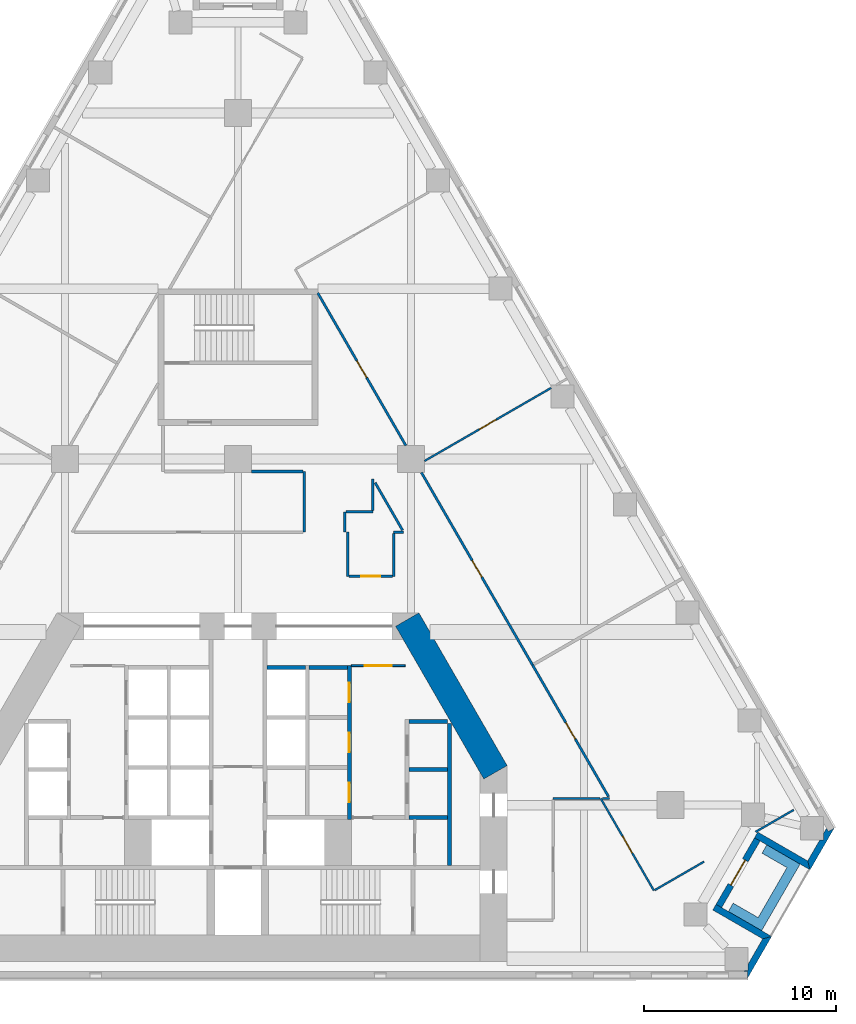
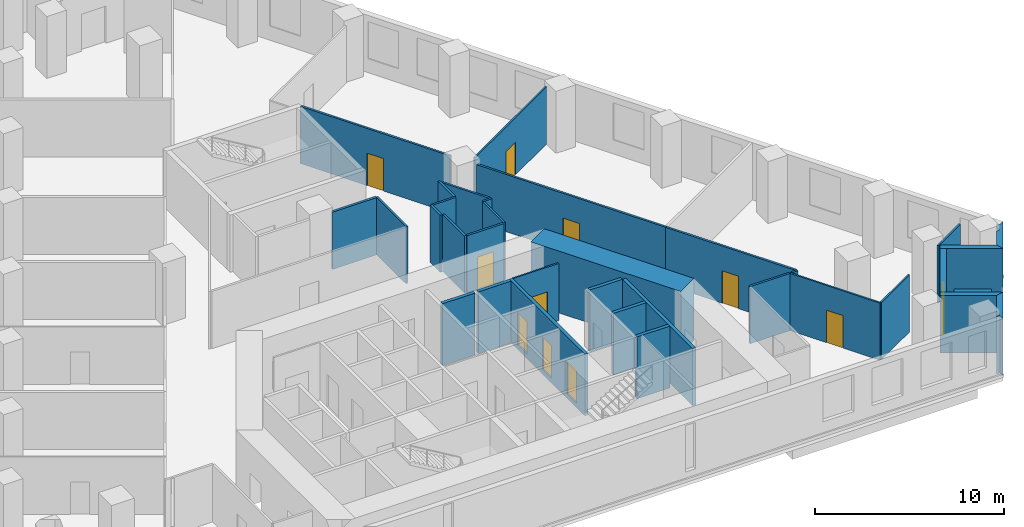
# One storey, part 6 of 9: 34 walls, 11 doors, 11 openings.
"""IFC4 building model written with IfcOpenShell, lengths in metres."""

from ifc_helpers import new_model, si_unit, direction, frame, frame_2d, origin, place, context, subcontext, project, spatial, polyline, rectangle, outline, extrude, material, layer, layer_set, type_object, element, fill, save


model = new_model("IFC4")

# Units and contexts
model_context = context("Model", 3, precision=1e-05, world=origin(), true_north=direction((0.0, 1.0)))
body_context = subcontext(model_context, "Body", "Model", "MODEL_VIEW")
ifc_project = project(units=[si_unit("LENGTHUNIT", "METRE"), si_unit("AREAUNIT", "SQUARE_METRE"), si_unit("VOLUMEUNIT", "CUBIC_METRE"), si_unit("PLANEANGLEUNIT", "RADIAN"), si_unit("MASSUNIT", "GRAM", prefix="KILO")], contexts=[model_context])

# Site, building, storey
site_placement = place(None, origin())
site = spatial("IfcSite", under=ifc_project, at=site_placement, CompositionType="ELEMENT")
building_placement = place(site_placement, origin())
building = spatial("IfcBuilding", under=site, at=building_placement, Name="Fogline Exchange Tower", CompositionType="ELEMENT")
storey_placement = place(building_placement, frame((0.0, 0.0, 76.89990234375)))
storey = spatial("IfcBuildingStorey", under=building, at=storey_placement, Name="L16", CompositionType="ELEMENT", Elevation=76.89990234375)

# Wall, opening, door
ifc_material_1 = material(Name="Blockwork partition", Category="masonry")
ifc_layer_1 = layer(ifc_material_1, 0.10009765625)
ifc_layer_set_1 = layer_set([ifc_layer_1], Name="CW10")
wall_type_1 = type_object("IfcWallType", Name="CW10", PredefinedType="PARTITIONING", material=ifc_layer_set_1)
wall_1_placement = place(storey_placement, frame((5.89990234375, 16.25, 0.0), z_axis=(0.0, 0.0, 1.0), x_axis=(1.0, 0.0, 0.0)))
wall_1 = element("IfcWall", 1, at=wall_1_placement, inside=storey, type_object=wall_type_1, Name="Lift lobby partition", PredefinedType="PARTITIONING", context=body_context, shape_type="SweptSolid", body=[
    extrude(rectangle(XDim=2.800048828125, YDim=0.10009765625, at=frame_2d((1.39990234375, 0.0))), origin(), (0.0, 0.0, 1.0), 3.7001953125),
])
opening_1_placement = place(wall_1_placement, frame((0.699951171875, 0.0, 0.0)))
opening_1 = element("IfcOpeningElement", 2, at=opening_1_placement, cuts=wall_1, Name="Opening T05-C013", PredefinedType="OPENING", context=body_context, shape_type="SweptSolid", body=[
    extrude(rectangle(XDim=1.39990234375, YDim=2.10009765625, at=frame_2d((0.699951171875, 1.050048828125))), frame((0.0, 0.06005859375, 0.0), z_axis=(0.0, -1.0, 0.0), x_axis=(1.0, 0.0, 0.0)), (0.0, 0.0, 1.0), 0.1201171875),
])
ifc_material_2 = material(Name="Steel and timber fire door", Category="steel")
door_type_1 = type_object("IfcDoorType", Name="D-LB1", OperationType="DOUBLE_DOOR_SINGLE_SWING", PredefinedType="DOOR", material=ifc_material_2)
door_1_placement = place(opening_1_placement, origin())
door_1 = element("IfcDoor", 3, at=door_1_placement, inside=storey, type_object=door_type_1, Name="Door to lift lobby", OperationType="DOUBLE_DOOR_SINGLE_SWING", OverallHeight=2.10009765625, OverallWidth=1.39990234375, PredefinedType="DOOR", context=body_context, shape_type="SweptSolid", body=[
    extrude(rectangle(XDim=1.39990234375, YDim=2.10009765625, at=frame_2d((0.699951171875, 1.050048828125))), frame((0.0, 0.02490234375, 0.0), z_axis=(0.0, -1.0, 0.0), x_axis=(1.0, 0.0, 0.0)), (0.0, 0.0, 1.0), 0.050048828125),
])
fill(opening_1, door_1)

# Wall
ifc_material_3 = material(Name="Concrete C40", Category="concrete")
ifc_layer_2 = layer(ifc_material_3, 0.199951171875)
ifc_layer_set_2 = layer_set([ifc_layer_2], Name="CW20")
wall_type_2 = type_object("IfcWallType", Name="CW20", PredefinedType="SOLIDWALL", material=ifc_layer_set_2)
wall_2_placement = place(storey_placement, frame((11.0, 5.85009765625, 0.0), z_axis=(0.0, 0.0, 1.0), x_axis=(0.0, 1.0, 0.0)))
element("IfcWall", 4, at=wall_2_placement, inside=storey, type_object=wall_type_2, Name="Service room wall", PredefinedType="SOLIDWALL", context=body_context, shape_type="SweptSolid", body=[
    extrude(rectangle(XDim=7.39990234375, YDim=0.199951171875, at=frame_2d((3.699951171875, 0.0))), origin(), (0.0, 0.0, 1.0), 3.7001953125),
])

# Wall, openings, doors
ifc_layer_3 = layer(ifc_material_3, 0.199951171875)
ifc_layer_set_3 = layer_set([ifc_layer_3], Name="CW20S")
wall_type_3 = type_object("IfcWallType", Name="CW20S", PredefinedType="SOLIDWALL", material=ifc_layer_set_3)
wall_3_placement = place(storey_placement, frame((5.800048828125, 8.25, -0.2998046875), z_axis=(0.0, 0.0, 1.0), x_axis=(0.0, 1.0, 0.0)))
wall_3 = element("IfcWall", 5, at=wall_3_placement, inside=storey, type_object=wall_type_3, Name="Lift shaft wall", PredefinedType="SOLIDWALL", context=body_context, shape_type="SweptSolid", body=[
    extrude(rectangle(XDim=8.0, YDim=0.199951171875, at=frame_2d((4.0, 0.0))), origin(), (0.0, 0.0, 1.0), 4.0),
])
opening_2_placement = place(wall_3_placement, frame((0.89990234375, 0.0, 0.300048828125)))
opening_2 = element("IfcOpeningElement", 6, at=opening_2_placement, cuts=wall_3, Name="Opening T05-C003", PredefinedType="OPENING", context=body_context, shape_type="SweptSolid", body=[
    extrude(rectangle(XDim=1.0, YDim=2.10009765625, at=frame_2d((0.5, 1.050048828125))), frame((0.0, 0.10986328125, 0.0), z_axis=(0.0, -1.0, 0.0), x_axis=(1.0, 0.0, 0.0)), (0.0, 0.0, 1.0), 0.219970703125),
])
opening_3_placement = place(wall_3_placement, frame((3.5, 0.0, 0.300048828125)))
opening_3 = element("IfcOpeningElement", 7, at=opening_3_placement, cuts=wall_3, Name="Opening T05-C004", PredefinedType="OPENING", context=body_context, shape_type="SweptSolid", body=[
    extrude(rectangle(XDim=1.0, YDim=2.10009765625, at=frame_2d((0.5, 1.050048828125))), frame((0.0, 0.10986328125, 0.0), z_axis=(0.0, -1.0, 0.0), x_axis=(1.0, 0.0, 0.0)), (0.0, 0.0, 1.0), 0.219970703125),
])
opening_4_placement = place(wall_3_placement, frame((6.10009765625, 0.0, 0.300048828125)))
opening_4 = element("IfcOpeningElement", 8, at=opening_4_placement, cuts=wall_3, Name="Opening T05-C005", PredefinedType="OPENING", context=body_context, shape_type="SweptSolid", body=[
    extrude(rectangle(XDim=1.0, YDim=2.10009765625, at=frame_2d((0.5, 1.050048828125))), frame((0.0, 0.10986328125, 0.0), z_axis=(0.0, -1.0, 0.0), x_axis=(1.0, 0.0, 0.0)), (0.0, 0.0, 1.0), 0.219970703125),
])
door_type_2 = type_object("IfcDoorType", Name="D-RM1", OperationType="SINGLE_SWING_LEFT", PredefinedType="DOOR", material=ifc_material_2)
door_2_placement = place(opening_2_placement, origin())
door_2 = element("IfcDoor", 9, at=door_2_placement, inside=storey, type_object=door_type_2, Name="Door to Library Store", OperationType="SINGLE_SWING_RIGHT", OverallHeight=2.10009765625, OverallWidth=1.0, PredefinedType="DOOR", context=body_context, shape_type="SweptSolid", body=[
    extrude(rectangle(XDim=1.0, YDim=2.10009765625, at=frame_2d((0.5, 1.050048828125))), frame((0.0, 0.02490234375, 0.0), z_axis=(0.0, -1.0, 0.0), x_axis=(1.0, 0.0, 0.0)), (0.0, 0.0, 1.0), 0.050048828125),
])
fill(opening_2, door_2)
door_3_placement = place(opening_3_placement, origin())
door_3 = element("IfcDoor", 10, at=door_3_placement, inside=storey, type_object=door_type_2, Name="Door to Stationery Store", OperationType="SINGLE_SWING_LEFT", OverallHeight=2.10009765625, OverallWidth=1.0, PredefinedType="DOOR", context=body_context, shape_type="SweptSolid", body=[
    extrude(rectangle(XDim=1.0, YDim=2.10009765625, at=frame_2d((0.5, 1.050048828125))), frame((0.0, 0.02490234375, 0.0), z_axis=(0.0, -1.0, 0.0), x_axis=(1.0, 0.0, 0.0)), (0.0, 0.0, 1.0), 0.050048828125),
])
fill(opening_3, door_3)
door_4_placement = place(opening_4_placement, origin())
door_4 = element("IfcDoor", 11, at=door_4_placement, inside=storey, type_object=door_type_2, Name="Door to Records Store", OperationType="SINGLE_SWING_LEFT", OverallHeight=2.10009765625, OverallWidth=1.0, PredefinedType="DOOR", context=body_context, shape_type="SweptSolid", body=[
    extrude(rectangle(XDim=1.0, YDim=2.10009765625, at=frame_2d((0.5, 1.050048828125))), frame((0.0, 0.02490234375, 0.0), z_axis=(0.0, -1.0, 0.0), x_axis=(1.0, 0.0, 0.0)), (0.0, 0.0, 1.0), 0.050048828125),
])
fill(opening_4, door_4)

# Walls
for number, where, z_axis, x_axis, name in (
    (12, (8.89990234375, 8.35009765625, -0.2998046875), (0.0, 0.0, 1.0), (1.0, 0.0, 0.0), "Lift shaft wall"),
    (13, (8.89990234375, 10.85009765625, -0.2998046875), (0.0, 0.0, 1.0), (1.0, 0.0, 0.0), "Lift shaft wall"),
    (14, (8.89990234375, 13.35009765625, -0.2998046875), (0.0, 0.0, 1.0), (1.0, 0.0, 0.0), "Lift shaft wall"),
    (15, (3.699951171875, 16.14990234375, -0.2998046875), (0.0, 0.0, 1.0), (1.0, 0.0, 0.0), "Lift shaft wall"),
    (16, (1.5, 16.14990234375, -0.2998046875), (0.0, 0.0, 1.0), (1.0, 0.0, 0.0), "Lift shaft wall"),
):
    element("IfcWall", number, at=place(storey_placement, frame(where, z_axis=z_axis, x_axis=x_axis)), inside=storey, type_object=wall_type_3, Name=name, PredefinedType="SOLIDWALL", context=body_context, shape_type="SweptSolid", body=[
        extrude(rectangle(XDim=2.0, YDim=0.199951171875, at=frame_2d((1.0, 0.0))), origin(), (0.0, 0.0, 1.0), 4.0),
    ])
ifc_material_4 = material(Name="Brick masonry", Category="masonry")
ifc_layer_4 = layer(ifc_material_4, 0.340087890625)
ifc_layer_set_4 = layer_set([ifc_layer_4], Name="FW1")
wall_type_4 = type_object("IfcWallType", Name="FW1", PredefinedType="SOLIDWALL", material=ifc_layer_set_4)
wall_4_placement = place(storey_placement, origin())
element("IfcWall", 17, at=wall_4_placement, inside=storey, type_object=wall_type_4, Name="Brick wall L16 SE-c1", PredefinedType="SOLIDWALL", context=body_context, shape_type="SweptSolid", body=[
    extrude(outline(polyline([(27.761474609375, 2.165771484375), (26.510498046875, -0.001220703125), (26.509765625, -0.0009765625), (26.509765625, 0.33935546875), (26.31298828125, 0.33935546875), (26.34814453125, 0.39990234375), (26.533203125, 0.39990234375), (26.533203125, 0.720458984375), (27.295654296875, 2.041015625), (27.76123046875, 2.166015625), (27.761474609375, 2.165771484375)])), origin(), (0.0, 0.0, 1.0), 3.7001953125),
])
wall_5_placement = place(storey_placement, origin())
element("IfcWall", 18, at=wall_5_placement, inside=storey, type_object=wall_type_4, Name="Brick wall L16 SE-s1", PredefinedType="SOLIDWALL", context=body_context, shape_type="SweptSolid", body=[
    extrude(outline(polyline([(24.697021484375, 3.540283203125), (24.86767578125, 3.8359375), (25.16259765625, 3.66552734375), (27.76171875, 2.1650390625), (27.76171875, 2.164794921875), (27.2958984375, 2.0400390625), (24.697021484375, 3.540283203125)])), origin(), (0.0, 0.0, 1.0), 3.7001953125),
])

# Wall, opening, door
wall_6_placement = place(storey_placement, frame((25.01513671875, 3.75, 0.0), z_axis=(0.0, 0.0, 1.0), x_axis=(0.49999894854, 0.866026010844, 0.0)))
wall_6 = element("IfcWall", 19, at=wall_6_placement, inside=storey, type_object=wall_type_4, Name="Brick wall L16 SE-bk", PredefinedType="SOLIDWALL", context=body_context, shape_type="SweptSolid", body=[
    extrude(rectangle(XDim=4.0, YDim=0.340087890625, at=frame_2d((2.0, 0.0))), origin(), (0.0, 0.0, 1.0), 3.7001953125),
])
opening_5_placement = place(wall_6_placement, frame((1.25, 0.0, 0.0)))
opening_5 = element("IfcOpeningElement", 20, at=opening_5_placement, cuts=wall_6, Name="Opening T05-E081", PredefinedType="OPENING", context=body_context, shape_type="SweptSolid", body=[
    extrude(rectangle(XDim=1.5, YDim=2.39990234375, at=frame_2d((0.75, 1.199951171875))), frame((0.0, 0.18017578125, 0.0), z_axis=(0.0, -1.0, 0.0), x_axis=(1.0, 0.0, 0.0)), (0.0, 0.0, 1.0), 0.360107421875),
])
ifc_material_5 = material(Name="Aluminium and glass", Category="aluminium")
door_type_3 = type_object("IfcDoorType", Name="ED4", OperationType="SINGLE_SWING_LEFT", PredefinedType="DOOR", material=ifc_material_5)
door_5_placement = place(opening_5_placement, frame((1.5, 0.0, 0.0), z_axis=(0.0, 0.0, 1.0), x_axis=(-1.0, 0.0, 0.0)))
door_5 = element("IfcDoor", 21, at=door_5_placement, inside=storey, type_object=door_type_3, Name="Balcony door L16 SE", OperationType="DOUBLE_DOOR_SINGLE_SWING", OverallHeight=2.39990234375, OverallWidth=1.5, PredefinedType="DOOR", context=body_context, shape_type="SweptSolid", body=[
    extrude(rectangle(XDim=1.5, YDim=2.39990234375, at=frame_2d((0.75, 1.199951171875))), frame((0.0, 0.02490234375, 0.0), z_axis=(0.0, -1.0, 0.0), x_axis=(1.0, 0.0, 0.0)), (0.0, 0.0, 1.0), 0.050048828125),
])
fill(opening_5, door_5)

# Walls
wall_7_placement = place(storey_placement, origin())
element("IfcWall", 22, at=wall_7_placement, inside=storey, type_object=wall_type_4, Name="Brick wall L16 SE-s2", PredefinedType="SOLIDWALL", context=body_context, shape_type="SweptSolid", body=[
    extrude(outline(polyline([(29.760986328125, 5.628173828125), (27.162109375, 7.128662109375), (26.8671875, 7.298828125), (27.03759765625, 7.594482421875), (29.636474609375, 6.093994140625), (29.76123046875, 5.62841796875), (29.760986328125, 5.628173828125)])), origin(), (0.0, 0.0, 1.0), 3.7001953125),
])
wall_8_placement = place(storey_placement, origin())
element("IfcWall", 23, at=wall_8_placement, inside=storey, type_object=wall_type_4, Name="Brick wall L16 SE-c2", PredefinedType="SOLIDWALL", context=body_context, shape_type="SweptSolid", body=[
    extrude(outline(polyline([(30.270751953125, 7.194091796875), (30.455810546875, 7.194091796875), (30.455810546875, 7.5146484375), (30.617919921875, 7.79541015625), (30.71630859375, 7.625), (31.010986328125, 7.79541015625), (31.011474609375, 7.794921875), (29.760498046875, 5.6279296875), (29.760009765625, 5.6279296875), (29.63525390625, 6.09375), (30.270751953125, 7.194091796875)])), origin(), (0.0, 0.0, 1.0), 3.7001953125),
])
ifc_material_6 = material(Name="Concrete C30", Category="concrete")
ifc_layer_5 = layer(ifc_material_6, 0.199951171875)
ifc_layer_set_5 = layer_set([ifc_layer_5], Name="PL1")
wall_type_5 = type_object("IfcWallType", Name="PL1", PredefinedType="USERDEFINED", material=ifc_layer_set_5)
wall_9_placement = place(storey_placement, origin())
element("IfcWall", 24, at=wall_9_placement, inside=storey, type_object=wall_type_5, Name="PLANTER balcony L16 SE", ObjectType="PLANTER", PredefinedType="USERDEFINED", context=body_context, shape_type="SweptSolid", body=[
    extrude(outline(polyline([(25.5087890625, 3.465087890625), (26.807861328125, 2.715087890625), (26.807861328125, 2.715087890625), (27.24072265625, 2.465087890625), (28.99072265625, 5.49609375), (29.24072265625, 5.92919921875), (27.5087890625, 6.92919921875), (27.2587890625, 6.49609375), (28.557861328125, 5.74609375), (27.057861328125, 3.148193359375), (25.7587890625, 3.898193359375), (25.5087890625, 3.465087890625)])), origin(), (0.0, 0.0, 1.0), 1.10009765625),
])

# Wall, opening, door
ifc_material_7 = material(Name="Plasterboard partition, 2 layers each side on steel studs", Category="steel")
ifc_layer_6 = layer(ifc_material_7, 0.10009765625)
ifc_layer_set_6 = layer_set([ifc_layer_6], Name="PW1")
wall_type_6 = type_object("IfcWallType", Name="PW1", PredefinedType="PARTITIONING", material=ifc_layer_set_6)
wall_10_placement = place(storey_placement, frame((9.699951171875, 26.895751953125, 0.0), z_axis=(0.0, 0.0, 1.0), x_axis=(0.866021009999, 0.500007610182, 0.0)))
wall_10 = element("IfcWall", 25, at=wall_10_placement, inside=storey, type_object=wall_type_6, Name="wall-L16-W032", PredefinedType="PARTITIONING", context=body_context, shape_type="SweptSolid", body=[
    extrude(rectangle(XDim=7.60888671875, YDim=0.10009765625, at=frame_2d((3.804443359375, 0.0))), origin(), (0.0, 0.0, 1.0), 3.7001953125),
])
opening_6_placement = place(wall_10_placement, frame((3.30419921875, 0.0, 0.0)))
opening_6 = element("IfcOpeningElement", 26, at=opening_6_placement, cuts=wall_10, Name="Opening T05-D014", PredefinedType="OPENING", context=body_context, shape_type="SweptSolid", body=[
    extrude(rectangle(XDim=1.0, YDim=2.10009765625, at=frame_2d((0.5, 1.050048828125))), frame((0.0, 0.06005859375, 0.0), z_axis=(0.0, -1.0, 0.0), x_axis=(1.0, 0.0, 0.0)), (0.0, 0.0, 1.0), 0.1201171875),
])
ifc_material_8 = material(Name="Timber door leaf with steel frame", Category="steel")
door_type_4 = type_object("IfcDoorType", Name="D1", OperationType="SINGLE_SWING_LEFT", PredefinedType="DOOR", material=ifc_material_8)
door_6_placement = place(opening_6_placement, frame((1.0, 0.0, 0.0), z_axis=(0.0, 0.0, 1.0), x_axis=(-1.0, 0.0, 0.0)))
door_6 = element("IfcDoor", 27, at=door_6_placement, inside=storey, type_object=door_type_4, Name="door-L16-D014", OperationType="SINGLE_SWING_RIGHT", OverallHeight=2.10009765625, OverallWidth=1.0, PredefinedType="DOOR", context=body_context, shape_type="SweptSolid", body=[
    extrude(rectangle(XDim=1.0, YDim=2.10009765625, at=frame_2d((0.5, 1.050048828125))), frame((0.0, 0.02490234375, 0.0), z_axis=(0.0, -1.0, 0.0), x_axis=(1.0, 0.0, 0.0)), (0.0, 0.0, 1.0), 0.050048828125),
])
fill(opening_6, door_6)

wall_11_placement = place(storey_placement, frame((18.87109375, 9.340087890625, 0.0), z_axis=(0.0, 0.0, 1.0), x_axis=(0.499998843543, -0.866026071464, 0.0)))
wall_11 = element("IfcWall", 28, at=wall_11_placement, inside=storey, type_object=wall_type_6, Name="wall-L16-W050", PredefinedType="PARTITIONING", context=body_context, shape_type="SweptSolid", body=[
    extrude(rectangle(XDim=5.53076171875, YDim=0.10009765625, at=frame_2d((2.765380859375, 0.0))), origin(), (0.0, 0.0, 1.0), 3.7001953125),
])
opening_7_placement = place(wall_11_placement, frame((2.265380859375, 0.0, 0.0)))
opening_7 = element("IfcOpeningElement", 29, at=opening_7_placement, cuts=wall_11, Name="Opening T05-D019", PredefinedType="OPENING", context=body_context, shape_type="SweptSolid", body=[
    extrude(rectangle(XDim=1.0, YDim=2.10009765625, at=frame_2d((0.5, 1.050048828125))), frame((0.0, 0.06005859375, 0.0), z_axis=(0.0, -1.0, 0.0), x_axis=(1.0, 0.0, 0.0)), (0.0, 0.0, 1.0), 0.1201171875),
])
door_7_placement = place(opening_7_placement, frame((1.0, 0.0, 0.0), z_axis=(0.0, 0.0, 1.0), x_axis=(-1.0, 0.0, 0.0)))
door_7 = element("IfcDoor", 30, at=door_7_placement, inside=storey, type_object=door_type_4, Name="door-L16-D019", OperationType="SINGLE_SWING_RIGHT", OverallHeight=2.10009765625, OverallWidth=1.0, PredefinedType="DOOR", context=body_context, shape_type="SweptSolid", body=[
    extrude(rectangle(XDim=1.0, YDim=2.10009765625, at=frame_2d((0.5, 1.050048828125))), frame((0.0, 0.02490234375, 0.0), z_axis=(0.0, -1.0, 0.0), x_axis=(1.0, 0.0, 0.0)), (0.0, 0.0, 1.0), 0.050048828125),
])
fill(opening_7, door_7)

# Walls
wall_12_placement = place(storey_placement, frame((21.6796875, 4.5751953125, 0.0), z_axis=(0.0, 0.0, 1.0), x_axis=(0.866018146021, 0.500012570604, 0.0)))
element("IfcWall", 31, at=wall_12_placement, inside=storey, type_object=wall_type_6, Name="wall-L16-W051", PredefinedType="PARTITIONING", context=body_context, shape_type="SweptSolid", body=[
    extrude(rectangle(XDim=2.96240234375, YDim=0.10009765625, at=frame_2d((1.481201171875, 0.0))), origin(), (0.0, 0.0, 1.0), 3.7001953125),
])
wall_13_placement = place(storey_placement, frame((26.92578125, 7.604248046875, 0.0), z_axis=(0.0, 0.0, 1.0), x_axis=(0.866072087953, 0.499919131929, 0.0)))
element("IfcWall", 32, at=wall_13_placement, inside=storey, type_object=wall_type_6, Name="wall-L16-W052", PredefinedType="PARTITIONING", context=body_context, shape_type="SweptSolid", body=[
    extrude(rectangle(XDim=2.29248046875, YDim=0.10009765625, at=frame_2d((1.146240234375, 0.0))), origin(), (0.0, 0.0, 1.0), 3.7001953125),
])
ifc_material_9 = material(Name="Plasterboard corridor partition with mineral wool, 2 layers each side")
ifc_layer_7 = layer(ifc_material_9, 0.125)
ifc_layer_set_7 = layer_set([ifc_layer_7], Name="PW2")
wall_type_7 = type_object("IfcWallType", Name="PW2", PredefinedType="PARTITIONING", material=ifc_layer_set_7)
wall_14_placement = place(storey_placement, frame((5.699951171875, 23.199951171875, 0.0), z_axis=(0.0, 0.0, 1.0), x_axis=(0.0, -1.0, 0.0)))
element("IfcWall", 33, at=wall_14_placement, inside=storey, type_object=wall_type_7, Name="wall-L16-W003", PredefinedType="PARTITIONING", context=body_context, shape_type="SweptSolid", body=[
    extrude(rectangle(XDim=2.300048828125, YDim=0.125, at=frame_2d((1.14990234375, 0.0))), origin(), (0.0, 0.0, 1.0), 3.7001953125),
])

# Wall, opening, door
wall_15_placement = place(storey_placement, frame((5.762451171875, 20.89990234375, 0.0), z_axis=(0.0, 0.0, 1.0), x_axis=(1.0, 0.0, 0.0)))
wall_15 = element("IfcWall", 34, at=wall_15_placement, inside=storey, type_object=wall_type_7, Name="wall-L16-W004", PredefinedType="PARTITIONING", context=body_context, shape_type="SweptSolid", body=[
    extrude(rectangle(XDim=2.275146484375, YDim=0.125, at=frame_2d((1.1376953125, 0.0))), origin(), (0.0, 0.0, 1.0), 3.7001953125),
])
opening_8_placement = place(wall_15_placement, frame((0.637451171875, 0.0, 0.0)))
opening_8 = element("IfcOpeningElement", 35, at=opening_8_placement, cuts=wall_15, Name="Opening T05-D002", PredefinedType="OPENING", context=body_context, shape_type="SweptSolid", body=[
    extrude(rectangle(XDim=1.0, YDim=2.10009765625, at=frame_2d((0.5, 1.050048828125))), frame((0.0, 0.072509765625, 0.0), z_axis=(0.0, -1.0, 0.0), x_axis=(1.0, 0.0, 0.0)), (0.0, 0.0, 1.0), 0.14501953125),
])
ifc_material_10 = material(Name="Fire-rated timber door leaf with steel frame", Category="steel")
door_type_5 = type_object("IfcDoorType", Name="D3", OperationType="SINGLE_SWING_LEFT", PredefinedType="DOOR", material=ifc_material_10)
door_8_placement = place(opening_8_placement, origin())
door_8 = element("IfcDoor", 36, at=door_8_placement, inside=storey, type_object=door_type_5, Name="door-L16-D002", OperationType="SINGLE_SWING_LEFT", OverallHeight=2.10009765625, OverallWidth=1.0, PredefinedType="DOOR", context=body_context, shape_type="SweptSolid", body=[
    extrude(rectangle(XDim=1.0, YDim=2.10009765625, at=frame_2d((0.5, 1.050048828125))), frame((0.0, 0.02490234375, 0.0), z_axis=(0.0, -1.0, 0.0), x_axis=(1.0, 0.0, 0.0)), (0.0, 0.0, 1.0), 0.050048828125),
])
fill(opening_8, door_8)

# Walls
wall_16_placement = place(storey_placement, frame((8.10009765625, 20.89990234375, 0.0), z_axis=(0.0, 0.0, 1.0), x_axis=(0.0, 1.0, 0.0)))
element("IfcWall", 37, at=wall_16_placement, inside=storey, type_object=wall_type_7, Name="wall-L16-W005", PredefinedType="PARTITIONING", context=body_context, shape_type="SweptSolid", body=[
    extrude(rectangle(XDim=2.237548828125, YDim=0.125, at=frame_2d((1.11865234375, 0.0))), origin(), (0.0, 0.0, 1.0), 3.7001953125),
])
wall_17_placement = place(storey_placement, frame((8.10009765625, 23.199951171875, 0.0), z_axis=(0.0, 0.0, 1.0), x_axis=(1.0, 0.0, 0.0)))
element("IfcWall", 38, at=wall_17_placement, inside=storey, type_object=wall_type_7, Name="wall-L16-W006", PredefinedType="PARTITIONING", context=body_context, shape_type="SweptSolid", body=[
    extrude(rectangle(XDim=0.517333984375, YDim=0.125, at=frame_2d((0.2587890625, 0.0))), origin(), (0.0, 0.0, 1.0), 3.7001953125),
])

# Wall, opening, door
wall_18_placement = place(storey_placement, frame((9.541259765625, 26.300048828125, 0.0), z_axis=(0.0, 0.0, 1.0), x_axis=(0.500003905814, -0.86602314875, 0.0)))
wall_18 = element("IfcWall", 39, at=wall_18_placement, inside=storey, type_object=wall_type_7, Name="wall-L16-W022", PredefinedType="PARTITIONING", context=body_context, shape_type="SweptSolid", body=[
    extrude(rectangle(XDim=11.5634765625, YDim=0.125, at=frame_2d((5.78173828125, 0.0))), origin(), (0.0, 0.0, 1.0), 3.7001953125),
])
opening_9_placement = place(wall_18_placement, frame((5.28173828125, 0.0, 0.0)))
opening_9 = element("IfcOpeningElement", 40, at=opening_9_placement, cuts=wall_18, Name="Opening T05-D011", PredefinedType="OPENING", context=body_context, shape_type="SweptSolid", body=[
    extrude(rectangle(XDim=1.0, YDim=2.10009765625, at=frame_2d((0.5, 1.050048828125))), frame((0.0, 0.072509765625, 0.0), z_axis=(0.0, -1.0, 0.0), x_axis=(1.0, 0.0, 0.0)), (0.0, 0.0, 1.0), 0.14501953125),
])
door_9_placement = place(opening_9_placement, origin())
door_9 = element("IfcDoor", 41, at=door_9_placement, inside=storey, type_object=door_type_5, Name="door-L16-D011", OperationType="SINGLE_SWING_LEFT", OverallHeight=2.10009765625, OverallWidth=1.0, PredefinedType="DOOR", context=body_context, shape_type="SweptSolid", body=[
    extrude(rectangle(XDim=1.0, YDim=2.10009765625, at=frame_2d((0.5, 1.050048828125))), frame((0.0, 0.02490234375, 0.0), z_axis=(0.0, -1.0, 0.0), x_axis=(1.0, 0.0, 0.0)), (0.0, 0.0, 1.0), 0.050048828125),
])
fill(opening_9, door_9)

# Wall
wall_19_placement = place(storey_placement, frame((8.56298828125, 23.294189453125, 0.0), z_axis=(0.0, 0.0, 1.0), x_axis=(-0.499981393032, 0.866036146256, 0.0)))
element("IfcWall", 42, at=wall_19_placement, inside=storey, type_object=wall_type_7, Name="wall-L16-W023", PredefinedType="PARTITIONING", context=body_context, shape_type="SweptSolid", body=[
    extrude(rectangle(XDim=2.8564453125, YDim=0.125, at=frame_2d((1.42822265625, 0.0))), origin(), (0.0, 0.0, 1.0), 3.7001953125),
])

# Wall, opening, door
wall_20_placement = place(storey_placement, frame((4.14990234375, 35.637939453125, 0.0), z_axis=(0.0, 0.0, 1.0), x_axis=(0.50000066617, -0.86602501917, 0.0)))
wall_20 = element("IfcWall", 43, at=wall_20_placement, inside=storey, type_object=wall_type_7, Name="wall-L16-W024", PredefinedType="PARTITIONING", context=body_context, shape_type="SweptSolid", body=[
    extrude(rectangle(XDim=9.166015625, YDim=0.125, at=frame_2d((4.5830078125, 0.0))), origin(), (0.0, 0.0, 1.0), 3.7001953125),
])
opening_10_placement = place(wall_20_placement, frame((4.0830078125, 0.0, 0.0)))
opening_10 = element("IfcOpeningElement", 44, at=opening_10_placement, cuts=wall_20, Name="Opening T05-D012", PredefinedType="OPENING", context=body_context, shape_type="SweptSolid", body=[
    extrude(rectangle(XDim=1.0, YDim=2.10009765625, at=frame_2d((0.5, 1.050048828125))), frame((0.0, 0.072509765625, 0.0), z_axis=(0.0, -1.0, 0.0), x_axis=(1.0, 0.0, 0.0)), (0.0, 0.0, 1.0), 0.14501953125),
])
door_10_placement = place(opening_10_placement, origin())
door_10 = element("IfcDoor", 45, at=door_10_placement, inside=storey, type_object=door_type_5, Name="door-L16-D012", OperationType="SINGLE_SWING_LEFT", OverallHeight=2.10009765625, OverallWidth=1.0, PredefinedType="DOOR", context=body_context, shape_type="SweptSolid", body=[
    extrude(rectangle(XDim=1.0, YDim=2.10009765625, at=frame_2d((0.5, 1.050048828125))), frame((0.0, 0.02490234375, 0.0), z_axis=(0.0, -1.0, 0.0), x_axis=(1.0, 0.0, 0.0)), (0.0, 0.0, 1.0), 0.050048828125),
])
fill(opening_10, door_10)

# Wall
wall_21_placement = place(storey_placement, frame((18.827392578125, 9.340087890625, 0.0), z_axis=(0.0, 0.0, 1.0), x_axis=(-1.0, 0.0, 0.0)))
element("IfcWall", 46, at=wall_21_placement, inside=storey, type_object=wall_type_7, Name="wall-L16-W025", PredefinedType="PARTITIONING", context=body_context, shape_type="SweptSolid", body=[
    extrude(rectangle(XDim=2.427490234375, YDim=0.125, at=frame_2d((1.2138671875, 0.0))), origin(), (0.0, 0.0, 1.0), 3.7001953125),
])

# Wall, opening, door
wall_22_placement = place(storey_placement, frame((15.322998046875, 16.285888671875, 0.0), z_axis=(0.0, 0.0, 1.0), x_axis=(0.499992239852, -0.866029884062, 0.0)))
wall_22 = element("IfcWall", 47, at=wall_22_placement, inside=storey, type_object=wall_type_7, Name="wall-L16-W026", PredefinedType="PARTITIONING", context=body_context, shape_type="SweptSolid", body=[
    extrude(rectangle(XDim=7.911865234375, YDim=0.125, at=frame_2d((3.9560546875, 0.0))), origin(), (0.0, 0.0, 1.0), 3.7001953125),
])
opening_11_placement = place(wall_22_placement, frame((3.455810546875, 0.0, 0.0)))
opening_11 = element("IfcOpeningElement", 48, at=opening_11_placement, cuts=wall_22, Name="Opening T05-D013", PredefinedType="OPENING", context=body_context, shape_type="SweptSolid", body=[
    extrude(rectangle(XDim=1.0, YDim=2.10009765625, at=frame_2d((0.5, 1.050048828125))), frame((0.0, 0.072509765625, 0.0), z_axis=(0.0, -1.0, 0.0), x_axis=(1.0, 0.0, 0.0)), (0.0, 0.0, 1.0), 0.14501953125),
])
door_11_placement = place(opening_11_placement, origin())
door_11 = element("IfcDoor", 49, at=door_11_placement, inside=storey, type_object=door_type_5, Name="door-L16-D013", OperationType="SINGLE_SWING_LEFT", OverallHeight=2.10009765625, OverallWidth=1.0, PredefinedType="DOOR", context=body_context, shape_type="SweptSolid", body=[
    extrude(rectangle(XDim=1.0, YDim=2.10009765625, at=frame_2d((0.5, 1.050048828125))), frame((0.0, 0.02490234375, 0.0), z_axis=(0.0, -1.0, 0.0), x_axis=(1.0, 0.0, 0.0)), (0.0, 0.0, 1.0), 0.050048828125),
])
fill(opening_11, door_11)

# Walls
wall_23_placement = place(storey_placement, frame((19.3330078125, 9.340087890625, 0.0), z_axis=(0.0, 0.0, 1.0), x_axis=(-1.0, 0.0, 0.0)))
element("IfcWall", 50, at=wall_23_placement, inside=storey, type_object=wall_type_7, Name="wall-L16-W027", PredefinedType="PARTITIONING", context=body_context, shape_type="SweptSolid", body=[
    extrude(rectangle(XDim=0.367431640625, YDim=0.125, at=frame_2d((0.18359375, 0.0))), origin(), (0.0, 0.0, 1.0), 3.7001953125),
])
wall_24_placement = place(storey_placement, frame((5.550048828125, 24.257080078125, 0.0), z_axis=(0.0, 0.0, 1.0), x_axis=(0.0, -1.0, 0.0)))
element("IfcWall", 51, at=wall_24_placement, inside=storey, type_object=wall_type_7, Name="wall-L16-W028", PredefinedType="PARTITIONING", context=body_context, shape_type="SweptSolid", body=[
    extrude(rectangle(XDim=1.05712890625, YDim=0.125, at=frame_2d((0.528564453125, 0.0))), origin(), (0.0, 0.0, 1.0), 3.7001953125),
])
wall_25_placement = place(storey_placement, frame((3.449951171875, 23.199951171875, 0.0), z_axis=(0.0, 0.0, 1.0), x_axis=(0.0, 1.0, 0.0)))
element("IfcWall", 52, at=wall_25_placement, inside=storey, type_object=wall_type_7, Name="wall-L16-W029", PredefinedType="PARTITIONING", context=body_context, shape_type="SweptSolid", body=[
    extrude(rectangle(XDim=3.156982421875, YDim=0.125, at=frame_2d((1.57861328125, 0.0))), origin(), (0.0, 0.0, 1.0), 3.7001953125),
])
wall_26_placement = place(storey_placement, frame((7.01806640625, 24.257080078125, 0.0), z_axis=(0.0, 0.0, 1.0), x_axis=(-1.0, 0.0, 0.0)))
element("IfcWall", 53, at=wall_26_placement, inside=storey, type_object=wall_type_7, Name="wall-L16-W030", PredefinedType="PARTITIONING", context=body_context, shape_type="SweptSolid", body=[
    extrude(rectangle(XDim=1.405517578125, YDim=0.125, at=frame_2d((0.70263671875, 0.0))), origin(), (0.0, 0.0, 1.0), 3.7001953125),
])
wall_27_placement = place(storey_placement, frame((7.01806640625, 25.970458984375, 0.0), z_axis=(0.0, 0.0, 1.0), x_axis=(0.0, -1.0, 0.0)))
element("IfcWall", 54, at=wall_27_placement, inside=storey, type_object=wall_type_7, Name="wall-L16-W031", PredefinedType="PARTITIONING", context=body_context, shape_type="SweptSolid", body=[
    extrude(rectangle(XDim=1.65087890625, YDim=0.125, at=frame_2d((0.825439453125, 0.0))), origin(), (0.0, 0.0, 1.0), 3.7001953125),
])
ifc_material_11 = material(Name="Plasterboard stair lobby partition, 3 layers each side on steel studs", Category="steel")
ifc_layer_8 = layer(ifc_material_11, 0.14990234375)
ifc_layer_set_8 = layer_set([ifc_layer_8], Name="PW4")
wall_type_8 = type_object("IfcWallType", Name="PW4", PredefinedType="PARTITIONING", material=ifc_layer_set_8)
wall_28_placement = place(storey_placement, frame((3.387451171875, 26.35693359375, 0.0), z_axis=(0.0, 0.0, 1.0), x_axis=(-1.0, 0.0, 0.0)))
element("IfcWall", 55, at=wall_28_placement, inside=storey, type_object=wall_type_8, Name="wall-L16-W019", PredefinedType="PARTITIONING", context=body_context, shape_type="SweptSolid", body=[
    extrude(rectangle(XDim=2.6875, YDim=0.14990234375, at=frame_2d((1.34375, 0.0))), origin(), (0.0, 0.0, 1.0), 3.7001953125),
])
ifc_material_12 = material(Name="Concrete C60", Category="concrete")
ifc_layer_9 = layer(ifc_material_12, 1.39990234375)
ifc_layer_set_9 = layer_set([ifc_layer_9], Name="SW01")
wall_type_9 = type_object("IfcWallType", Name="SW01", PredefinedType="SHEAR", material=ifc_layer_set_9)
wall_29_placement = place(storey_placement, frame((13.393798828125, 10.70263671875, 0.0), z_axis=(0.0, 0.0, 1.0), x_axis=(-0.50000187635, 0.866024320471, 0.0)))
element("IfcWall", 56, at=wall_29_placement, inside=storey, type_object=wall_type_9, Name="L16-W903", PredefinedType="SHEAR", context=body_context, shape_type="SweptSolid", body=[
    extrude(rectangle(XDim=9.1767578125, YDim=1.39990234375, at=frame_2d((4.58837890625, 0.0))), origin(), (0.0, 0.0, 1.0), 4.0),
])

save(model, "model.ifc")
